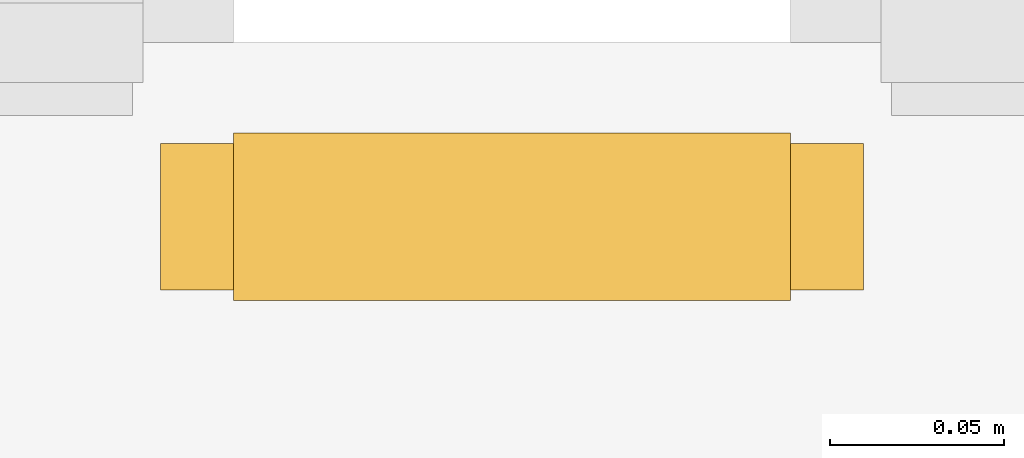
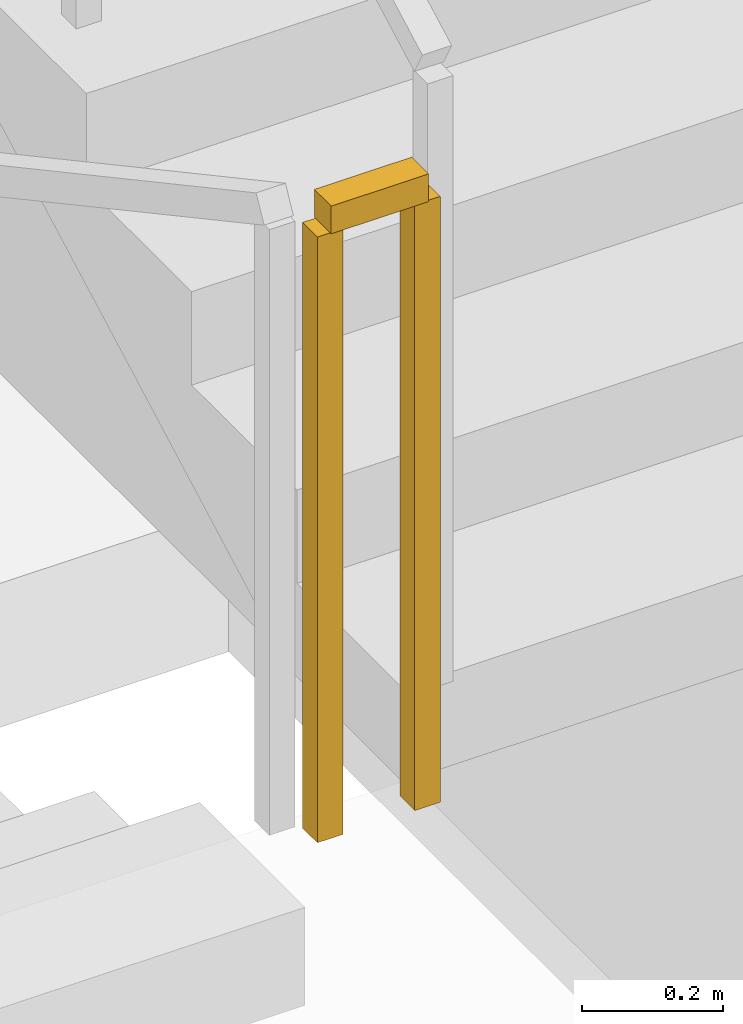
# One storey, part 14 of 18: 1 railing.
"""IFC4 building model written with IfcOpenShell, lengths in metres."""

from ifc_helpers import new_model, si_unit, direction, frame, origin, origin_2d, place, context, subcontext, project, spatial, rectangle, extrude, material, type_object, element, save


model = new_model("IFC4")

# Units and contexts
model_context = context("Model", 3, precision=1e-05, world=origin(), true_north=direction((0.0, 1.0)))
body_context = subcontext(model_context, "Body", "Model", "MODEL_VIEW")
ifc_project = project(units=[si_unit("LENGTHUNIT", "METRE"), si_unit("AREAUNIT", "SQUARE_METRE"), si_unit("VOLUMEUNIT", "CUBIC_METRE"), si_unit("PLANEANGLEUNIT", "RADIAN"), si_unit("MASSUNIT", "GRAM", prefix="KILO")], contexts=[model_context])

# Site, building, storey
site_placement = place(None, origin())
site = spatial("IfcSite", under=ifc_project, at=site_placement, CompositionType="ELEMENT")
building_placement = place(site_placement, origin())
building = spatial("IfcBuilding", under=site, at=building_placement, Name="Zulmaris Gate Convention Tower", CompositionType="ELEMENT")
storey_placement = place(building_placement, frame((0.0, 0.0, 78.60986328125)))
storey = spatial("IfcBuildingStorey", under=building, at=storey_placement, Name="L19", CompositionType="ELEMENT", Elevation=78.60986328125)

# Railing
ifc_material = material(Name="Painted Galvanised Steel", Category="steel")
railing_type = type_object("IfcRailingType", Name="RL-STG-1150", PredefinedType="GUARDRAIL", material=ifc_material)
railing_placement = place(storey_placement, frame((-13.219970703125, -5.050048828125, 1.78515625)))
element("IfcRailing", 1, at=railing_placement, inside=storey, type_object=railing_type, Name="L19 ST-1 stair guard 2", PredefinedType="GUARDRAIL", context=body_context, shape_type="SweptSolid", body=[
    extrude(rectangle(XDim=0.048095703125, YDim=0.048095703125, at=origin_2d()), frame((0.0, 0.0, 1.076171875), z_axis=(1.0, 0.0, 0.0), x_axis=(0.0, 1.0, 0.0)), (0.0, 0.0, 1.0), 0.159912109375),
    extrude(rectangle(XDim=0.0419921875, YDim=0.0419921875, at=origin_2d()), origin(), (0.0, 0.0, 1.0), 1.052001953125),
    extrude(rectangle(XDim=0.0419921875, YDim=0.0419921875, at=origin_2d()), frame((0.159912109375, 0.0, 0.0)), (0.0, 0.0, 1.0), 1.052001953125),
])

save(model, "model.ifc")
